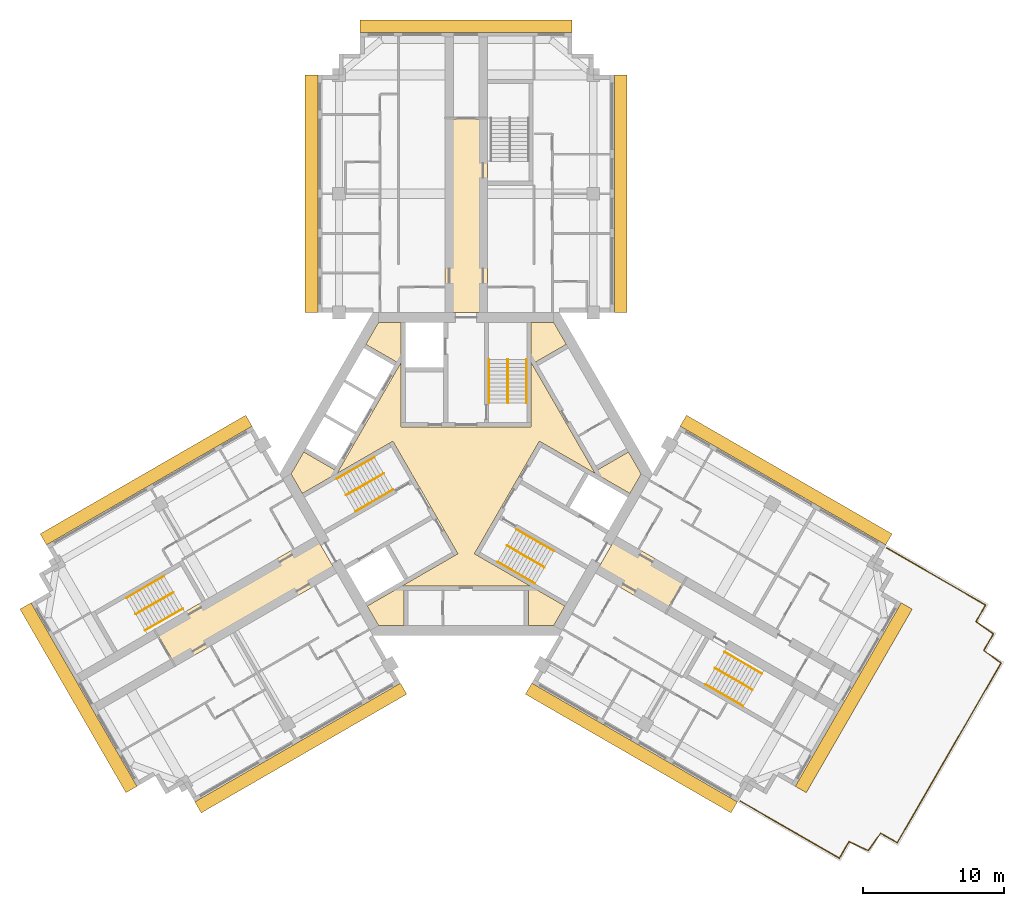
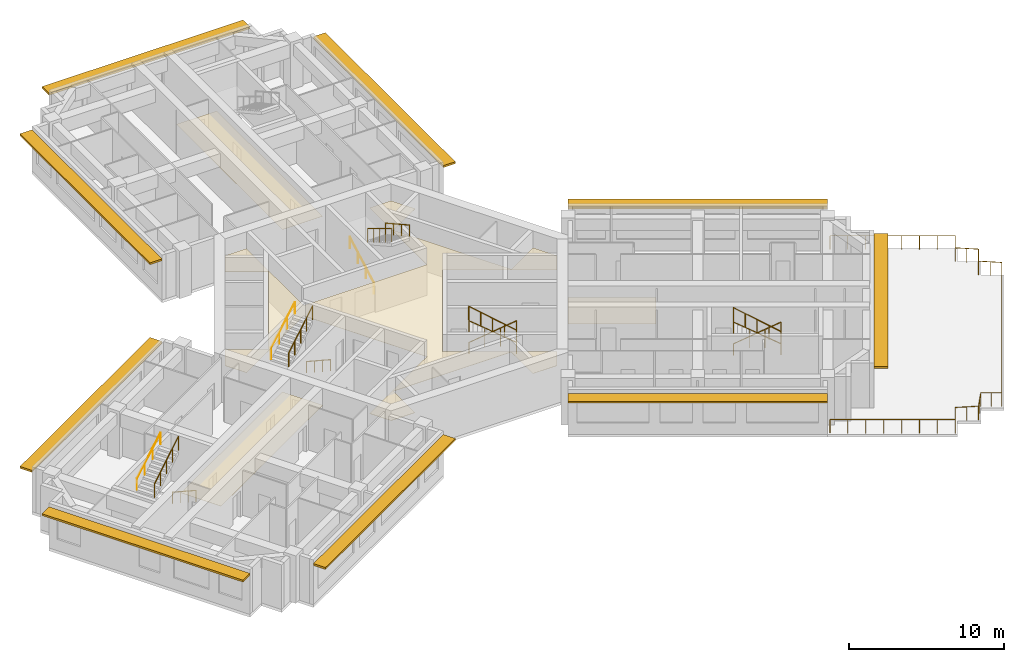
# One storey, part 10 of 11: 16 railings, 4 coverings, 3 shading devices.
"""IFC4 building model written with IfcOpenShell, lengths in metres."""

from ifc_helpers import new_model, si_unit, direction, frame, origin, origin_2d, place, context, subcontext, project, spatial, polyline, rectangle, circle, outline, extrude, material, layer, layer_set, type_object, element, save


model = new_model("IFC4")

# Units and contexts
model_context = context("Model", 3, precision=1e-05, world=origin(), true_north=direction((0.0, 1.0)))
body_context = subcontext(model_context, "Body", "Model", "MODEL_VIEW")
ifc_project = project(units=[si_unit("LENGTHUNIT", "METRE"), si_unit("AREAUNIT", "SQUARE_METRE"), si_unit("VOLUMEUNIT", "CUBIC_METRE"), si_unit("PLANEANGLEUNIT", "RADIAN"), si_unit("MASSUNIT", "GRAM", prefix="KILO")], contexts=[model_context])

# Site, building, storey
site_placement = place(None, origin())
site = spatial("IfcSite", under=ifc_project, at=site_placement, CompositionType="ELEMENT")
building_placement = place(site_placement, origin())
building = spatial("IfcBuilding", under=site, at=building_placement, Name="Impinga Residences", CompositionType="ELEMENT")
storey_placement = place(building_placement, frame((0.0, 0.0, 248.5)))
storey = spatial("IfcBuildingStorey", under=building, at=storey_placement, Name="L62", CompositionType="ELEMENT", Elevation=248.5)

# Coverings
ifc_material_1 = material(Name="Plasterboard 15 mm on steel hangers", Category="steel")
ifc_layer_1 = layer(ifc_material_1, 0.014892578125)
ifc_layer_set_1 = layer_set([ifc_layer_1], Name="Plasterboard 15 mm on steel hangers")
covering_type_1 = type_object("IfcCoveringType", Name="CL1 corridor ceiling, 15 mm plasterboard on hangers", PredefinedType="CEILING", material=ifc_layer_set_1)
covering_1_placement = place(storey_placement, frame((0.0, 0.0, 2.39990234375)))
element("IfcCovering", 1, at=covering_1_placement, inside=storey, type_object=covering_type_1, Name="Corridor ceiling CL1 L62-N00", PredefinedType="CEILING", context=body_context, shape_type="SweptSolid", body=[
    extrude(outline(polyline([(-1.5, 11.431640625), (1.5, 11.431640625), (1.5, 25.131591796875), (-1.5, 25.131591796875), (-1.5, 11.431640625)])), origin(), (0.0, 0.0, 1.0), 0.01513671875),
])
covering_2_placement = place(storey_placement, frame((0.0, 0.0, 2.39990234375)))
element("IfcCovering", 2, at=covering_2_placement, inside=storey, type_object=covering_type_1, Name="Corridor ceiling CL1 L62-W00", PredefinedType="CEILING", context=body_context, shape_type="SweptSolid", body=[
    extrude(outline(polyline([(-9.14990234375, -7.014892578125), (-10.64990234375, -4.416748046875), (-22.038330078125, -10.99169921875), (-20.538330078125, -13.58984375), (-9.14990234375, -7.014892578125)])), origin(), (0.0, 0.0, 1.0), 0.01513671875),
])
covering_3_placement = place(storey_placement, frame((0.0, 0.0, 2.39990234375)))
element("IfcCovering", 3, at=covering_3_placement, inside=storey, type_object=covering_type_1, Name="Corridor ceiling CL1 L62-E00", PredefinedType="CEILING", context=body_context, shape_type="SweptSolid", body=[
    extrude(outline(polyline([(9.14990234375, -7.014892578125), (10.64990234375, -4.416748046875), (15.579833984375, -7.262939453125), (14.079833984375, -9.861083984375), (9.14990234375, -7.014892578125)])), origin(), (0.0, 0.0, 1.0), 0.01513671875),
])
ifc_material_2 = material(Name="Mineral fibre tiles 20 mm on exposed grid", Category="mineral fibre")
ifc_layer_2 = layer(ifc_material_2, 0.02001953125)
ifc_layer_set_2 = layer_set([ifc_layer_2], Name="CL2 lift lobby ceiling, 20 mm mineral fibre tiles")
covering_type_2 = type_object("IfcCoveringType", Name="CL2 lift lobby ceiling, 20 mm mineral fibre tiles", PredefinedType="CEILING", material=ifc_layer_set_2)
covering_4_placement = place(storey_placement, frame((0.0, 0.0, 2.39990234375)))
element("IfcCovering", 4, at=covering_4_placement, inside=storey, type_object=covering_type_2, Name="Lift lobby ceiling CL2 L62-C01", PredefinedType="CEILING", context=body_context, shape_type="SweptSolid", body=[
    extrude(outline(polyline([(12.3916015625, 0.0), (11.59375, -1.382080078125), (5.183837890625, 2.318603515625), (0.583984375, -5.648681640625), (6.993896484375, -9.349365234375), (6.19580078125, -10.7314453125), (4.39990234375, -10.7314453125), (4.39990234375, -7.931640625), (-4.39990234375, -7.931640625), (-4.39990234375, -10.7314453125), (-6.19580078125, -10.7314453125), (-6.993896484375, -9.349365234375), (-0.583984375, -5.648681640625), (-5.183837890625, 2.318603515625), (-11.59375, -1.382080078125), (-12.3916015625, 0.0), (-11.493896484375, 1.55517578125), (-9.06884765625, 0.1552734375), (-4.6689453125, 7.7763671875), (-7.09375, 9.17626953125), (-6.19580078125, 10.7314453125), (-4.60009765625, 10.7314453125), (-4.60009765625, 3.330078125), (4.60009765625, 3.330078125), (4.60009765625, 10.7314453125), (6.19580078125, 10.7314453125), (7.09375, 9.17626953125), (4.6689453125, 7.7763671875), (9.06884765625, 0.1552734375), (11.493896484375, 1.55517578125), (12.3916015625, 0.0)])), origin(), (0.0, 0.0, 1.0), 0.02001953125),
])

# Railings
ifc_material_3 = material(Name="Steel guard, powder coated", Category="steel")
railing_type_1 = type_object("IfcRailingType", Name="GR1 stair guard 1100", PredefinedType="GUARDRAIL", material=ifc_material_3)
railing_1_placement = place(storey_placement, frame((2.949951171875, 8.110107421875, 1.875)))
element("IfcRailing", 5, at=railing_1_placement, inside=storey, type_object=railing_type_1, Name="Stair guard GR1 ST1 L62", PredefinedType="GUARDRAIL", context=body_context, shape_type="SweptSolid", body=[
    extrude(circle(Radius=0.02392578125, at=origin_2d()), frame((0.0, 0.0, 1.076171875), z_axis=(0.0, -0.854177636135, 0.519981313056), x_axis=(1.0, 0.0, 0.0)), (0.0, 0.0, 1.0), 3.60595703125),
    extrude(circle(Radius=0.02099609375, at=origin_2d()), origin(), (0.0, 0.0, 1.0), 1.052001953125),
    extrude(circle(Radius=0.02099609375, at=origin_2d()), frame((0.0, -0.77001953125, 0.46875)), (0.0, 0.0, 1.0), 1.052001953125),
    extrude(circle(Radius=0.02099609375, at=origin_2d()), frame((0.0, -1.5400390625, 0.9375)), (0.0, 0.0, 1.0), 1.052001953125),
    extrude(circle(Radius=0.02099609375, at=origin_2d()), frame((0.0, -2.31005859375, 1.40625)), (0.0, 0.0, 1.0), 1.052001953125),
    extrude(circle(Radius=0.02099609375, at=origin_2d()), frame((0.0, -3.080078125, 1.875)), (0.0, 0.0, 1.0), 1.052001953125),
])
railing_2_placement = place(storey_placement, frame((-8.49853515625, -1.500244140625, 1.875)))
element("IfcRailing", 6, at=railing_2_placement, inside=storey, type_object=railing_type_1, Name="Stair guard GR1 ST2 L62", PredefinedType="GUARDRAIL", context=body_context, shape_type="SweptSolid", body=[
    extrude(circle(Radius=0.02392578125, at=origin_2d()), frame((0.0, 0.0, 1.076171875), z_axis=(0.739746383972, 0.427084037168, 0.519975492303), x_axis=(-0.499992328818, 0.866029832698, 0.0)), (0.0, 0.0, 1.0), 3.60595703125),
    extrude(circle(Radius=0.02099609375, at=origin_2d()), origin(), (0.0, 0.0, 1.0), 1.052001953125),
    extrude(circle(Radius=0.02099609375, at=origin_2d()), frame((0.6669921875, 0.385009765625, 0.46875)), (0.0, 0.0, 1.0), 1.052001953125),
    extrude(circle(Radius=0.02099609375, at=origin_2d()), frame((1.333740234375, 0.77001953125, 0.9375)), (0.0, 0.0, 1.0), 1.052001953125),
    extrude(circle(Radius=0.02099609375, at=origin_2d()), frame((2.00048828125, 1.155029296875, 1.40625)), (0.0, 0.0, 1.0), 1.052001953125),
    extrude(circle(Radius=0.02099609375, at=origin_2d()), frame((2.66748046875, 1.5400390625, 1.875)), (0.0, 0.0, 1.0), 1.052001953125),
])
railing_3_placement = place(storey_placement, frame((5.548583984375, -6.60986328125, 1.875)))
element("IfcRailing", 7, at=railing_3_placement, inside=storey, type_object=railing_type_1, Name="Stair guard GR1 ST3 L62", PredefinedType="GUARDRAIL", context=body_context, shape_type="SweptSolid", body=[
    extrude(circle(Radius=0.02392578125, at=origin_2d()), frame((0.0, 0.0, 1.076171875), z_axis=(-0.739746383972, 0.427084037168, 0.519975492303), x_axis=(-0.499992328818, -0.866029832698, 0.0)), (0.0, 0.0, 1.0), 3.60595703125),
    extrude(circle(Radius=0.02099609375, at=origin_2d()), origin(), (0.0, 0.0, 1.0), 1.052001953125),
    extrude(circle(Radius=0.02099609375, at=origin_2d()), frame((-0.6669921875, 0.385009765625, 0.46875)), (0.0, 0.0, 1.0), 1.052001953125),
    extrude(circle(Radius=0.02099609375, at=origin_2d()), frame((-1.333740234375, 0.77001953125, 0.9375)), (0.0, 0.0, 1.0), 1.052001953125),
    extrude(circle(Radius=0.02099609375, at=origin_2d()), frame((-2.00048828125, 1.155029296875, 1.40625)), (0.0, 0.0, 1.0), 1.052001953125),
    extrude(circle(Radius=0.02099609375, at=origin_2d()), frame((-2.66748046875, 1.5400390625, 1.875)), (0.0, 0.0, 1.0), 1.052001953125),
])
railing_4_placement = place(storey_placement, frame((-23.3837890625, -9.921142578125, 1.875)))
element("IfcRailing", 8, at=railing_4_placement, inside=storey, type_object=railing_type_1, Name="Stair guard GR1 WS2 L62", PredefinedType="GUARDRAIL", context=body_context, shape_type="SweptSolid", body=[
    extrude(circle(Radius=0.02392578125, at=origin_2d()), frame((0.0, 0.0, 1.076171875), z_axis=(0.739715726454, 0.427105428144, 0.52000153585), x_axis=(-0.500026652407, 0.866010015463, 0.0)), (0.0, 0.0, 1.0), 3.605712890625),
    extrude(circle(Radius=0.02099609375, at=origin_2d()), origin(), (0.0, 0.0, 1.0), 1.052001953125),
    extrude(circle(Radius=0.02099609375, at=origin_2d()), frame((0.666748046875, 0.385009765625, 0.46875)), (0.0, 0.0, 1.0), 1.052001953125),
    extrude(circle(Radius=0.02099609375, at=origin_2d()), frame((1.33349609375, 0.77001953125, 0.9375)), (0.0, 0.0, 1.0), 1.052001953125),
    extrude(circle(Radius=0.02099609375, at=origin_2d()), frame((2.00048828125, 1.155029296875, 1.40625)), (0.0, 0.0, 1.0), 1.052001953125),
    extrude(circle(Radius=0.02099609375, at=origin_2d()), frame((2.667236328125, 1.5400390625, 1.875)), (0.0, 0.0, 1.0), 1.052001953125),
])
railing_5_placement = place(storey_placement, frame((20.283935546875, -15.29052734375, 1.875)))
element("IfcRailing", 9, at=railing_5_placement, inside=storey, type_object=railing_type_1, Name="Stair guard GR1 WS3 L62", PredefinedType="GUARDRAIL", context=body_context, shape_type="SweptSolid", body=[
    extrude(circle(Radius=0.02392578125, at=origin_2d()), frame((0.0, 0.0, 1.076171875), z_axis=(-0.739746383972, 0.427084037168, 0.519975492303), x_axis=(-0.499992328818, -0.866029832698, 0.0)), (0.0, 0.0, 1.0), 3.60595703125),
    extrude(circle(Radius=0.02099609375, at=origin_2d()), origin(), (0.0, 0.0, 1.0), 1.052001953125),
    extrude(circle(Radius=0.02099609375, at=origin_2d()), frame((-0.6669921875, 0.385009765625, 0.46875)), (0.0, 0.0, 1.0), 1.052001953125),
    extrude(circle(Radius=0.02099609375, at=origin_2d()), frame((-1.333740234375, 0.77001953125, 0.9375)), (0.0, 0.0, 1.0), 1.052001953125),
    extrude(circle(Radius=0.02099609375, at=origin_2d()), frame((-2.00048828125, 1.155029296875, 1.40625)), (0.0, 0.0, 1.0), 1.052001953125),
    extrude(circle(Radius=0.02099609375, at=origin_2d()), frame((-2.66748046875, 1.5400390625, 1.875)), (0.0, 0.0, 1.0), 1.052001953125),
])
ifc_material_4 = material(Name="Laminated glass guard, stainless steel top rail", Category="steel")
railing_type_2 = type_object("IfcRailingType", Name="GT1 terrace guard 1100, glass infill", PredefinedType="GUARDRAIL", material=ifc_material_4)
railing_6_placement = place(storey_placement, frame((29.7548828125, -5.227783203125, 0.0)))
element("IfcRailing", 10, at=railing_6_placement, inside=storey, type_object=railing_type_2, Name="Terrace guard GT1 L62", PredefinedType="GUARDRAIL", context=body_context, shape_type="SweptSolid", body=[
    extrude(circle(Radius=0.02392578125, at=origin_2d()), frame((0.0, 0.0, 1.076171875), z_axis=(0.866028970177, -0.499993822775, 0.0), x_axis=(0.499993822775, 0.866028970177, 0.0)), (0.0, 0.0, 1.0), 8.09912109375),
    extrude(circle(Radius=0.02392578125, at=origin_2d()), frame((7.01416015625, -4.049560546875, 1.076171875), z_axis=(-0.50000943426, -0.866019956843, 0.0), x_axis=(0.866019956843, -0.50000943426, 0.0)), (0.0, 0.0, 1.0), 1.35009765625),
    extrude(circle(Radius=0.02392578125, at=origin_2d()), frame((6.339111328125, -5.21875, 1.076171875), z_axis=(0.811945801708, -0.583732828517, 0.0), x_axis=(0.583732828517, 0.811945801708, 0.0)), (0.0, 0.0, 1.0), 1.50732421875),
    extrude(circle(Radius=0.02392578125, at=origin_2d()), frame((7.56298828125, -6.0986328125, 1.076171875), z_axis=(-0.499873791142, -0.866098258242, 0.0), x_axis=(0.866098258242, -0.499873791142, 0.0)), (0.0, 0.0, 1.0), 1.349853515625),
    extrude(circle(Radius=0.02392578125, at=origin_2d()), frame((6.88818359375, -7.267822265625, 1.076171875), z_axis=(0.811945801708, -0.583732828517, 0.0), x_axis=(0.583732828517, 0.811945801708, 0.0)), (0.0, 0.0, 1.0), 1.50732421875),
    extrude(circle(Radius=0.02392578125, at=origin_2d()), frame((8.112060546875, -8.147705078125, 1.076171875), z_axis=(-0.49999560994, -0.866027938372, 0.0), x_axis=(0.866027938372, -0.49999560994, 0.0)), (0.0, 0.0, 1.0), 14.699951171875),
    extrude(circle(Radius=0.02392578125, at=origin_2d()), frame((0.76220703125, -20.878173828125, 1.076171875), z_axis=(-0.866098258242, 0.499873791142, 0.0), x_axis=(-0.499873791142, -0.866098258242, 0.0)), (0.0, 0.0, 1.0), 1.349853515625),
    extrude(circle(Radius=0.02392578125, at=origin_2d()), frame((-0.406982421875, -20.203369140625, 1.076171875), z_axis=(-0.583732828517, -0.811945801708, 0.0), x_axis=(0.811945801708, -0.583732828517, 0.0)), (0.0, 0.0, 1.0), 1.50732421875),
    extrude(circle(Radius=0.02392578125, at=origin_2d()), frame((-1.286865234375, -21.42724609375, 1.076171875), z_axis=(-0.911472474848, 0.411361067184, 0.0), x_axis=(-0.411361067184, -0.911472474848, 0.0)), (0.0, 0.0, 1.0), 1.507568359375),
    extrude(circle(Radius=0.02392578125, at=origin_2d()), frame((-2.660888671875, -20.80712890625, 1.076171875), z_axis=(-0.50000943426, -0.866019956843, 0.0), x_axis=(0.866019956843, -0.50000943426, 0.0)), (0.0, 0.0, 1.0), 1.35009765625),
    extrude(circle(Radius=0.02392578125, at=origin_2d()), frame((-3.3359375, -21.976318359375, 1.076171875), z_axis=(-0.866021434139, 0.500006875564, 0.0), x_axis=(-0.500006875564, -0.866021434139, 0.0)), (0.0, 0.0, 1.0), 8.09912109375),
    extrude(circle(Radius=0.02099609375, at=origin_2d()), origin(), (0.0, 0.0, 1.0), 1.052001953125),
    extrude(circle(Radius=0.02099609375, at=origin_2d()), frame((1.001953125, -0.57861328125, 0.0)), (0.0, 0.0, 1.0), 1.052001953125),
    extrude(circle(Radius=0.02099609375, at=origin_2d()), frame((2.004150390625, -1.156982421875, 0.0)), (0.0, 0.0, 1.0), 1.052001953125),
    extrude(circle(Radius=0.02099609375, at=origin_2d()), frame((3.006103515625, -1.735595703125, 0.0)), (0.0, 0.0, 1.0), 1.052001953125),
    extrude(circle(Radius=0.02099609375, at=origin_2d()), frame((4.008056640625, -2.31396484375, 0.0)), (0.0, 0.0, 1.0), 1.052001953125),
    extrude(circle(Radius=0.02099609375, at=origin_2d()), frame((5.010009765625, -2.892578125, 0.0)), (0.0, 0.0, 1.0), 1.052001953125),
    extrude(circle(Radius=0.02099609375, at=origin_2d()), frame((6.01220703125, -3.470947265625, 0.0)), (0.0, 0.0, 1.0), 1.052001953125),
    extrude(circle(Radius=0.02099609375, at=origin_2d()), frame((7.01416015625, -4.049560546875, 0.0)), (0.0, 0.0, 1.0), 1.052001953125),
    extrude(circle(Radius=0.02099609375, at=origin_2d()), frame((6.6767578125, -4.63427734375, 0.0)), (0.0, 0.0, 1.0), 1.052001953125),
    extrude(circle(Radius=0.02099609375, at=origin_2d()), frame((6.339111328125, -5.21875, 0.0)), (0.0, 0.0, 1.0), 1.052001953125),
    extrude(circle(Radius=0.02099609375, at=origin_2d()), frame((6.951171875, -5.65869140625, 0.0)), (0.0, 0.0, 1.0), 1.052001953125),
    extrude(circle(Radius=0.02099609375, at=origin_2d()), frame((7.56298828125, -6.0986328125, 0.0)), (0.0, 0.0, 1.0), 1.052001953125),
    extrude(circle(Radius=0.02099609375, at=origin_2d()), frame((7.2255859375, -6.68310546875, 0.0)), (0.0, 0.0, 1.0), 1.052001953125),
    extrude(circle(Radius=0.02099609375, at=origin_2d()), frame((6.88818359375, -7.267822265625, 0.0)), (0.0, 0.0, 1.0), 1.052001953125),
    extrude(circle(Radius=0.02099609375, at=origin_2d()), frame((7.5, -7.707763671875, 0.0)), (0.0, 0.0, 1.0), 1.052001953125),
    extrude(circle(Radius=0.02099609375, at=origin_2d()), frame((8.112060546875, -8.147705078125, 0.0)), (0.0, 0.0, 1.0), 1.052001953125),
    extrude(circle(Radius=0.02099609375, at=origin_2d()), frame((7.546630859375, -9.126953125, 0.0)), (0.0, 0.0, 1.0), 1.052001953125),
    extrude(circle(Radius=0.02099609375, at=origin_2d()), frame((6.981201171875, -10.106201171875, 0.0)), (0.0, 0.0, 1.0), 1.052001953125),
    extrude(circle(Radius=0.02099609375, at=origin_2d()), frame((6.416015625, -11.08544921875, 0.0)), (0.0, 0.0, 1.0), 1.052001953125),
    extrude(circle(Radius=0.02099609375, at=origin_2d()), frame((5.8505859375, -12.064697265625, 0.0)), (0.0, 0.0, 1.0), 1.052001953125),
    extrude(circle(Radius=0.02099609375, at=origin_2d()), frame((5.28515625, -13.0439453125, 0.0)), (0.0, 0.0, 1.0), 1.052001953125),
    extrude(circle(Radius=0.02099609375, at=origin_2d()), frame((4.7197265625, -14.023193359375, 0.0)), (0.0, 0.0, 1.0), 1.052001953125),
    extrude(circle(Radius=0.02099609375, at=origin_2d()), frame((4.154541015625, -15.002685546875, 0.0)), (0.0, 0.0, 1.0), 1.052001953125),
    extrude(circle(Radius=0.02099609375, at=origin_2d()), frame((3.589111328125, -15.98193359375, 0.0)), (0.0, 0.0, 1.0), 1.052001953125),
    extrude(circle(Radius=0.02099609375, at=origin_2d()), frame((3.023681640625, -16.961181640625, 0.0)), (0.0, 0.0, 1.0), 1.052001953125),
    extrude(circle(Radius=0.02099609375, at=origin_2d()), frame((2.458251953125, -17.9404296875, 0.0)), (0.0, 0.0, 1.0), 1.052001953125),
    extrude(circle(Radius=0.02099609375, at=origin_2d()), frame((1.89306640625, -18.919677734375, 0.0)), (0.0, 0.0, 1.0), 1.052001953125),
    extrude(circle(Radius=0.02099609375, at=origin_2d()), frame((1.32763671875, -19.89892578125, 0.0)), (0.0, 0.0, 1.0), 1.052001953125),
    extrude(circle(Radius=0.02099609375, at=origin_2d()), frame((0.76220703125, -20.878173828125, 0.0)), (0.0, 0.0, 1.0), 1.052001953125),
    extrude(circle(Radius=0.02099609375, at=origin_2d()), frame((0.177734375, -20.540771484375, 0.0)), (0.0, 0.0, 1.0), 1.052001953125),
    extrude(circle(Radius=0.02099609375, at=origin_2d()), frame((-0.406982421875, -20.203369140625, 0.0)), (0.0, 0.0, 1.0), 1.052001953125),
    extrude(circle(Radius=0.02099609375, at=origin_2d()), frame((-0.846923828125, -20.8154296875, 0.0)), (0.0, 0.0, 1.0), 1.052001953125),
    extrude(circle(Radius=0.02099609375, at=origin_2d()), frame((-1.286865234375, -21.42724609375, 0.0)), (0.0, 0.0, 1.0), 1.052001953125),
    extrude(circle(Radius=0.02099609375, at=origin_2d()), frame((-1.973876953125, -21.1171875, 0.0)), (0.0, 0.0, 1.0), 1.052001953125),
    extrude(circle(Radius=0.02099609375, at=origin_2d()), frame((-2.660888671875, -20.80712890625, 0.0)), (0.0, 0.0, 1.0), 1.052001953125),
    extrude(circle(Radius=0.02099609375, at=origin_2d()), frame((-2.99853515625, -21.3916015625, 0.0)), (0.0, 0.0, 1.0), 1.052001953125),
    extrude(circle(Radius=0.02099609375, at=origin_2d()), frame((-3.3359375, -21.976318359375, 0.0)), (0.0, 0.0, 1.0), 1.052001953125),
    extrude(circle(Radius=0.02099609375, at=origin_2d()), frame((-4.337890625, -21.397705078125, 0.0)), (0.0, 0.0, 1.0), 1.052001953125),
    extrude(circle(Radius=0.02099609375, at=origin_2d()), frame((-5.33984375, -20.8193359375, 0.0)), (0.0, 0.0, 1.0), 1.052001953125),
    extrude(circle(Radius=0.02099609375, at=origin_2d()), frame((-6.341796875, -20.24072265625, 0.0)), (0.0, 0.0, 1.0), 1.052001953125),
    extrude(circle(Radius=0.02099609375, at=origin_2d()), frame((-7.343994140625, -19.662353515625, 0.0)), (0.0, 0.0, 1.0), 1.052001953125),
    extrude(circle(Radius=0.02099609375, at=origin_2d()), frame((-8.345947265625, -19.083740234375, 0.0)), (0.0, 0.0, 1.0), 1.052001953125),
    extrude(circle(Radius=0.02099609375, at=origin_2d()), frame((-9.347900390625, -18.50537109375, 0.0)), (0.0, 0.0, 1.0), 1.052001953125),
    extrude(circle(Radius=0.02099609375, at=origin_2d()), frame((-10.349853515625, -17.9267578125, 0.0)), (0.0, 0.0, 1.0), 1.052001953125),
])
ifc_material_5 = material(Name="Steel handrail tube 42 mm, powder coated", Category="steel")
railing_type_3 = type_object("IfcRailingType", Name="HR1 stair handrail, 42 mm steel tube, 900 above the pitch line", PredefinedType="HANDRAIL", material=ifc_material_5)
railing_7_placement = place(storey_placement, frame((1.62109375, 5.030029296875, 0.15625)))
element("IfcRailing", 11, at=railing_7_placement, inside=storey, type_object=railing_type_3, Name="Stair handrail HR1 ST1 L62", PredefinedType="HANDRAIL", context=body_context, shape_type="SweptSolid", body=[
    extrude(circle(Radius=0.02099609375, at=origin_2d()), frame((0.0, 0.0, 0.87890625), z_axis=(0.0, 0.873241540666, 0.487287606713), x_axis=(-1.0, 0.0, 0.0)), (0.0, 0.0, 1.0), 3.527099609375),
    extrude(circle(Radius=0.012451171875, at=origin_2d()), origin(), (0.0, 0.0, 1.0), 0.85791015625),
    extrude(circle(Radius=0.012451171875, at=origin_2d()), frame((0.0, 1.026611328125, 0.572998046875)), (0.0, 0.0, 1.0), 0.85791015625),
    extrude(circle(Radius=0.012451171875, at=origin_2d()), frame((0.0, 2.053466796875, 1.145751953125)), (0.0, 0.0, 1.0), 0.85791015625),
    extrude(circle(Radius=0.012451171875, at=origin_2d()), frame((0.0, 3.080078125, 1.71875)), (0.0, 0.0, 1.0), 0.85791015625),
])
railing_8_placement = place(storey_placement, frame((4.279052734375, 8.110107421875, 2.03125)))
element("IfcRailing", 12, at=railing_8_placement, inside=storey, type_object=railing_type_3, Name="Stair handrail HR1 ST1 L62", PredefinedType="HANDRAIL", context=body_context, shape_type="SweptSolid", body=[
    extrude(circle(Radius=0.02099609375, at=origin_2d()), frame((0.0, 0.0, 0.87890625), z_axis=(0.0, -0.873241540666, 0.487287606713), x_axis=(1.0, 0.0, 0.0)), (0.0, 0.0, 1.0), 3.527099609375),
    extrude(circle(Radius=0.012451171875, at=origin_2d()), origin(), (0.0, 0.0, 1.0), 0.85791015625),
    extrude(circle(Radius=0.012451171875, at=origin_2d()), frame((0.0, -1.026611328125, 0.572998046875)), (0.0, 0.0, 1.0), 0.85791015625),
    extrude(circle(Radius=0.012451171875, at=origin_2d()), frame((0.0, -2.053466796875, 1.145751953125)), (0.0, 0.0, 1.0), 0.85791015625),
    extrude(circle(Radius=0.012451171875, at=origin_2d()), frame((0.0, -3.080078125, 1.71875)), (0.0, 0.0, 1.0), 0.85791015625),
])
railing_9_placement = place(storey_placement, frame((-5.16650390625, -1.111083984375, 0.15625)))
element("IfcRailing", 13, at=railing_9_placement, inside=storey, type_object=railing_type_3, Name="Stair handrail HR1 ST2 L62", PredefinedType="HANDRAIL", context=body_context, shape_type="SweptSolid", body=[
    extrude(circle(Radius=0.02099609375, at=origin_2d()), frame((0.0, 0.0, 0.87890625), z_axis=(-0.756255980417, -0.436615662133, 0.487281905742), x_axis=(0.499992328818, -0.866029832698, 0.0)), (0.0, 0.0, 1.0), 3.527099609375),
    extrude(circle(Radius=0.012451171875, at=origin_2d()), origin(), (0.0, 0.0, 1.0), 0.85791015625),
    extrude(circle(Radius=0.012451171875, at=origin_2d()), frame((-0.88916015625, -0.513427734375, 0.572998046875)), (0.0, 0.0, 1.0), 0.85791015625),
    extrude(circle(Radius=0.012451171875, at=origin_2d()), frame((-1.7783203125, -1.026611328125, 1.145751953125)), (0.0, 0.0, 1.0), 0.85791015625),
    extrude(circle(Radius=0.012451171875, at=origin_2d()), frame((-2.66748046875, -1.5400390625, 1.71875)), (0.0, 0.0, 1.0), 0.85791015625),
])
railing_10_placement = place(storey_placement, frame((-9.1630859375, -0.349365234375, 2.03125)))
element("IfcRailing", 14, at=railing_10_placement, inside=storey, type_object=railing_type_3, Name="Stair handrail HR1 ST2 L62", PredefinedType="HANDRAIL", context=body_context, shape_type="SweptSolid", body=[
    extrude(circle(Radius=0.02099609375, at=origin_2d()), frame((0.0, 0.0, 0.87890625), z_axis=(0.756255980417, 0.436615662133, 0.487281905742), x_axis=(-0.499992328818, 0.866029832698, 0.0)), (0.0, 0.0, 1.0), 3.527099609375),
    extrude(circle(Radius=0.012451171875, at=origin_2d()), origin(), (0.0, 0.0, 1.0), 0.85791015625),
    extrude(circle(Radius=0.012451171875, at=origin_2d()), frame((0.88916015625, 0.513427734375, 0.572998046875)), (0.0, 0.0, 1.0), 0.85791015625),
    extrude(circle(Radius=0.012451171875, at=origin_2d()), frame((1.7783203125, 1.026611328125, 1.145751953125)), (0.0, 0.0, 1.0), 0.85791015625),
    extrude(circle(Radius=0.012451171875, at=origin_2d()), frame((2.66748046875, 1.5400390625, 1.71875)), (0.0, 0.0, 1.0), 0.85791015625),
])
railing_11_placement = place(storey_placement, frame((3.545654296875, -3.9189453125, 0.15625)))
element("IfcRailing", 15, at=railing_11_placement, inside=storey, type_object=railing_type_3, Name="Stair handrail HR1 ST3 L62", PredefinedType="HANDRAIL", context=body_context, shape_type="SweptSolid", body=[
    extrude(circle(Radius=0.02099609375, at=origin_2d()), frame((0.0, 0.0, 0.87890625), z_axis=(0.756249203677, -0.436582492228, 0.487322141317), x_axis=(0.499967199496, 0.866044340336, 0.0)), (0.0, 0.0, 1.0), 3.52685546875),
    extrude(circle(Radius=0.012451171875, at=origin_2d()), origin(), (0.0, 0.0, 1.0), 0.85791015625),
    extrude(circle(Radius=0.012451171875, at=origin_2d()), frame((0.88916015625, -0.51318359375, 0.572998046875)), (0.0, 0.0, 1.0), 0.85791015625),
    extrude(circle(Radius=0.012451171875, at=origin_2d()), frame((1.778076171875, -1.026611328125, 1.145751953125)), (0.0, 0.0, 1.0), 0.85791015625),
    extrude(circle(Radius=0.012451171875, at=origin_2d()), frame((2.667236328125, -1.539794921875, 1.71875)), (0.0, 0.0, 1.0), 0.85791015625),
])
railing_12_placement = place(storey_placement, frame((4.884033203125, -7.7607421875, 2.03125)))
element("IfcRailing", 16, at=railing_12_placement, inside=storey, type_object=railing_type_3, Name="Stair handrail HR1 ST3 L62", PredefinedType="HANDRAIL", context=body_context, shape_type="SweptSolid", body=[
    extrude(circle(Radius=0.02099609375, at=origin_2d()), frame((0.0, 0.0, 0.87890625), z_axis=(-0.756255980417, 0.436615662133, 0.487281905742), x_axis=(-0.499992328818, -0.866029832698, 0.0)), (0.0, 0.0, 1.0), 3.527099609375),
    extrude(circle(Radius=0.012451171875, at=origin_2d()), origin(), (0.0, 0.0, 1.0), 0.85791015625),
    extrude(circle(Radius=0.012451171875, at=origin_2d()), frame((-0.88916015625, 0.513427734375, 0.572998046875)), (0.0, 0.0, 1.0), 0.85791015625),
    extrude(circle(Radius=0.012451171875, at=origin_2d()), frame((-1.7783203125, 1.026611328125, 1.145751953125)), (0.0, 0.0, 1.0), 0.85791015625),
    extrude(circle(Radius=0.012451171875, at=origin_2d()), frame((-2.66748046875, 1.5400390625, 1.71875)), (0.0, 0.0, 1.0), 0.85791015625),
])
railing_13_placement = place(storey_placement, frame((-20.052001953125, -9.531982421875, 0.15625)))
element("IfcRailing", 17, at=railing_13_placement, inside=storey, type_object=railing_type_3, Name="Stair handrail HR1 WS2 L62", PredefinedType="HANDRAIL", context=body_context, shape_type="SweptSolid", body=[
    extrude(circle(Radius=0.02099609375, at=origin_2d()), frame((0.0, 0.0, 0.87890625), z_axis=(-0.756226348243, -0.436638517594, 0.487307413422), x_axis=(0.500026652407, -0.866010015463, 0.0)), (0.0, 0.0, 1.0), 3.527099609375),
    extrude(circle(Radius=0.012451171875, at=origin_2d()), origin(), (0.0, 0.0, 1.0), 0.85791015625),
    extrude(circle(Radius=0.012451171875, at=origin_2d()), frame((-0.88916015625, -0.513427734375, 0.572998046875)), (0.0, 0.0, 1.0), 0.85791015625),
    extrude(circle(Radius=0.012451171875, at=origin_2d()), frame((-1.778076171875, -1.026611328125, 1.145751953125)), (0.0, 0.0, 1.0), 0.85791015625),
    extrude(circle(Radius=0.012451171875, at=origin_2d()), frame((-2.667236328125, -1.5400390625, 1.71875)), (0.0, 0.0, 1.0), 0.85791015625),
])
railing_14_placement = place(storey_placement, frame((-24.04833984375, -8.77001953125, 2.03125)))
element("IfcRailing", 18, at=railing_14_placement, inside=storey, type_object=railing_type_3, Name="Stair handrail HR1 WS2 L62", PredefinedType="HANDRAIL", context=body_context, shape_type="SweptSolid", body=[
    extrude(circle(Radius=0.02099609375, at=origin_2d()), frame((0.0, 0.0, 0.87890625), z_axis=(0.756278834354, 0.436559638319, 0.487296631324), x_axis=(-0.499932877268, 0.866064153644, 0.0)), (0.0, 0.0, 1.0), 3.527099609375),
    extrude(circle(Radius=0.012451171875, at=origin_2d()), origin(), (0.0, 0.0, 1.0), 0.85791015625),
    extrude(circle(Radius=0.012451171875, at=origin_2d()), frame((0.88916015625, 0.51318359375, 0.572998046875)), (0.0, 0.0, 1.0), 0.85791015625),
    extrude(circle(Radius=0.012451171875, at=origin_2d()), frame((1.7783203125, 1.026611328125, 1.145751953125)), (0.0, 0.0, 1.0), 0.85791015625),
    extrude(circle(Radius=0.012451171875, at=origin_2d()), frame((2.66748046875, 1.539794921875, 1.71875)), (0.0, 0.0, 1.0), 0.85791015625),
])
railing_15_placement = place(storey_placement, frame((18.281005859375, -12.599609375, 0.15625)))
element("IfcRailing", 19, at=railing_15_placement, inside=storey, type_object=railing_type_3, Name="Stair handrail HR1 WS3 L62", PredefinedType="HANDRAIL", context=body_context, shape_type="SweptSolid", body=[
    extrude(circle(Radius=0.02099609375, at=origin_2d()), frame((0.0, 0.0, 0.87890625), z_axis=(0.756249203677, -0.436582492228, 0.487322141317), x_axis=(0.499967199496, 0.866044340336, 0.0)), (0.0, 0.0, 1.0), 3.52685546875),
    extrude(circle(Radius=0.012451171875, at=origin_2d()), origin(), (0.0, 0.0, 1.0), 0.85791015625),
    extrude(circle(Radius=0.012451171875, at=origin_2d()), frame((0.88916015625, -0.51318359375, 0.572998046875)), (0.0, 0.0, 1.0), 0.85791015625),
    extrude(circle(Radius=0.012451171875, at=origin_2d()), frame((1.778076171875, -1.026611328125, 1.145751953125)), (0.0, 0.0, 1.0), 0.85791015625),
    extrude(circle(Radius=0.012451171875, at=origin_2d()), frame((2.667236328125, -1.539794921875, 1.71875)), (0.0, 0.0, 1.0), 0.85791015625),
])
railing_16_placement = place(storey_placement, frame((19.619384765625, -16.44140625, 2.03125)))
element("IfcRailing", 20, at=railing_16_placement, inside=storey, type_object=railing_type_3, Name="Stair handrail HR1 WS3 L62", PredefinedType="HANDRAIL", context=body_context, shape_type="SweptSolid", body=[
    extrude(circle(Radius=0.02099609375, at=origin_2d()), frame((0.0, 0.0, 0.87890625), z_axis=(-0.756255980417, 0.436615662133, 0.487281905742), x_axis=(-0.499992328818, -0.866029832698, 0.0)), (0.0, 0.0, 1.0), 3.527099609375),
    extrude(circle(Radius=0.012451171875, at=origin_2d()), origin(), (0.0, 0.0, 1.0), 0.85791015625),
    extrude(circle(Radius=0.012451171875, at=origin_2d()), frame((-0.88916015625, 0.513427734375, 0.572998046875)), (0.0, 0.0, 1.0), 0.85791015625),
    extrude(circle(Radius=0.012451171875, at=origin_2d()), frame((-1.7783203125, 1.026611328125, 1.145751953125)), (0.0, 0.0, 1.0), 0.85791015625),
    extrude(circle(Radius=0.012451171875, at=origin_2d()), frame((-2.66748046875, 1.5400390625, 1.71875)), (0.0, 0.0, 1.0), 0.85791015625),
])

# Shading devices
ifc_material_6 = material(Name="Terracotta sunshade blades on aluminium brackets", Category="masonry")
ifc_layer_3 = layer(ifc_material_6, 0.14990234375)
ifc_layer_set_3 = layer_set([ifc_layer_3], Name="SS1 SUNSHADE terracotta sunshade band 900")
shading_device_type = type_object("IfcShadingDeviceType", Name="SS1 SUNSHADE terracotta sunshade band 900", PredefinedType="USERDEFINED", material=ifc_layer_set_3)
shading_device_1_placement = place(storey_placement, frame((-10.949951171875, 19.83154296875, 3.10009765625), z_axis=(0.0, 0.0, 1.0), x_axis=(0.0, 1.0, 0.0)))
element("IfcShadingDevice", 21, at=shading_device_1_placement, inside=storey, type_object=shading_device_type, Name="SUNSHADE band L62 NORTH WING", ObjectType="SUNSHADE", PredefinedType="USERDEFINED", context=body_context, shape_type="SweptSolid", body=[
    extrude(rectangle(XDim=16.800048828125, YDim=0.89990234375, at=origin_2d()), origin(), (0.0, 0.0, 1.0), 0.14990234375),
    extrude(rectangle(XDim=15.0, YDim=0.89990234375, at=origin_2d()), frame((11.85009765625, -10.949951171875, 0.0), z_axis=(0.0, 0.0, 1.0), x_axis=(0.0, -1.0, 0.0)), (0.0, 0.0, 1.0), 0.14990234375),
    extrude(rectangle(XDim=16.800048828125, YDim=0.89990234375, at=origin_2d()), frame((0.0, -21.89990234375, 0.0), z_axis=(0.0, 0.0, 1.0), x_axis=(-1.0, 0.0, 0.0)), (0.0, 0.0, 1.0), 0.14990234375),
])
shading_device_2_placement = place(storey_placement, frame((-27.43701171875, -15.8408203125, 3.10009765625), z_axis=(0.0, 0.0, 1.0), x_axis=(-0.5, 0.866025403784, 0.0)))
element("IfcShadingDevice", 22, at=shading_device_2_placement, inside=storey, type_object=shading_device_type, Name="SUNSHADE band L62 WEST WING", ObjectType="SUNSHADE", PredefinedType="USERDEFINED", context=body_context, shape_type="SweptSolid", body=[
    extrude(rectangle(XDim=15.0, YDim=0.89990234375, at=origin_2d()), origin(), (0.0, 0.0, 1.0), 0.14990234375),
    extrude(rectangle(XDim=16.800048828125, YDim=0.89990234375, at=origin_2d()), frame((10.949951171875, -11.849853515625, 0.0), z_axis=(0.0, 0.0, 1.0), x_axis=(0.0, -1.0, 0.0)), (0.0, 0.0, 1.0), 0.14990234375),
    extrude(rectangle(XDim=16.800048828125, YDim=0.89990234375, at=origin_2d()), frame((-10.949951171875, -11.849853515625, 0.0), z_axis=(0.0, 0.0, 1.0), x_axis=(0.0, 1.0, 0.0)), (0.0, 0.0, 1.0), 0.14990234375),
])
shading_device_3_placement = place(storey_placement, frame((22.649658203125, -0.432861328125, 3.10009765625), z_axis=(0.0, 0.0, 1.0), x_axis=(0.866025403784, -0.5, 0.0)))
element("IfcShadingDevice", 23, at=shading_device_3_placement, inside=storey, type_object=shading_device_type, Name="SUNSHADE band L62 EAST WING", ObjectType="SUNSHADE", PredefinedType="USERDEFINED", context=body_context, shape_type="SweptSolid", body=[
    extrude(rectangle(XDim=16.800048828125, YDim=0.89990234375, at=origin_2d()), origin(), (0.0, 0.0, 1.0), 0.14990234375),
    extrude(rectangle(XDim=15.0, YDim=0.89990234375, at=origin_2d()), frame((11.849853515625, -10.949951171875, 0.0), z_axis=(0.0, 0.0, 1.0), x_axis=(0.0, -1.0, 0.0)), (0.0, 0.0, 1.0), 0.14990234375),
    extrude(rectangle(XDim=16.800048828125, YDim=0.89990234375, at=origin_2d()), frame((0.0, -21.89990234375, 0.0), z_axis=(0.0, 0.0, 1.0), x_axis=(-1.0, 0.0, 0.0)), (0.0, 0.0, 1.0), 0.14990234375),
])

save(model, "model.ifc")
